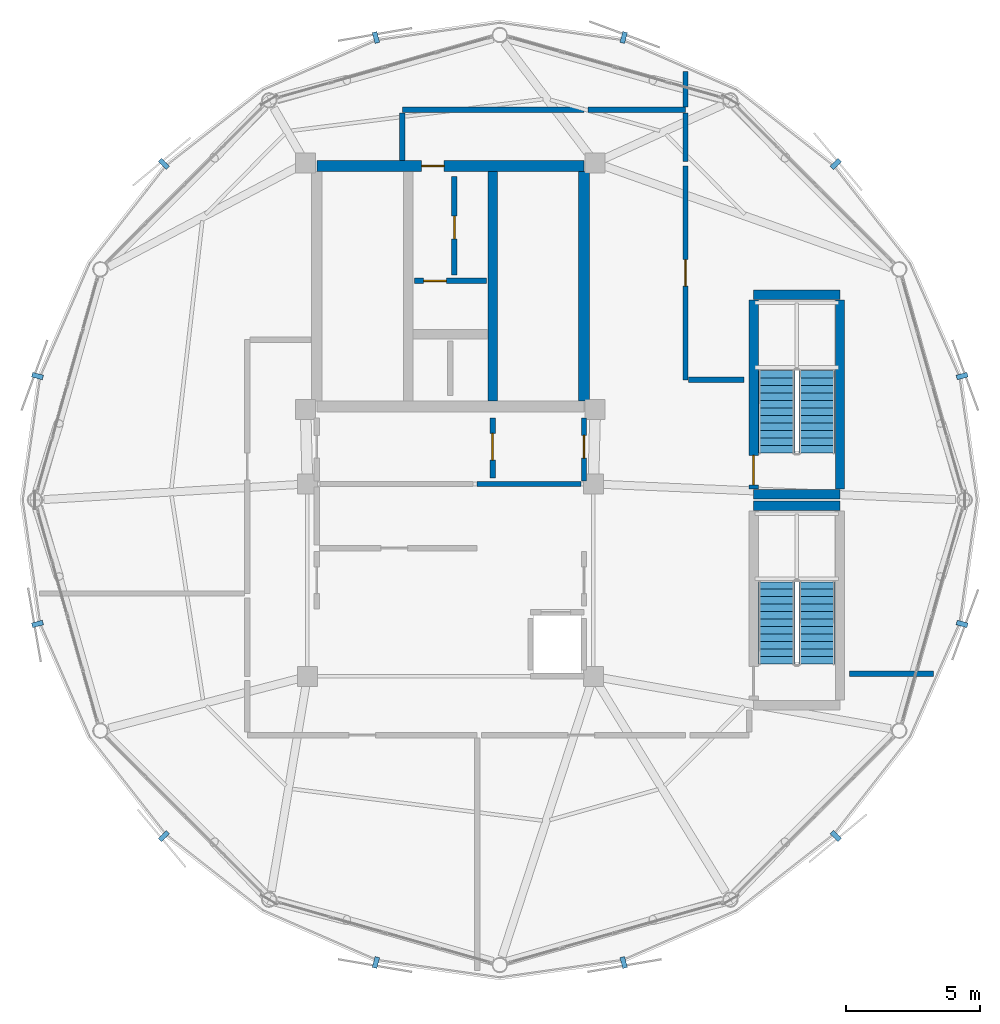
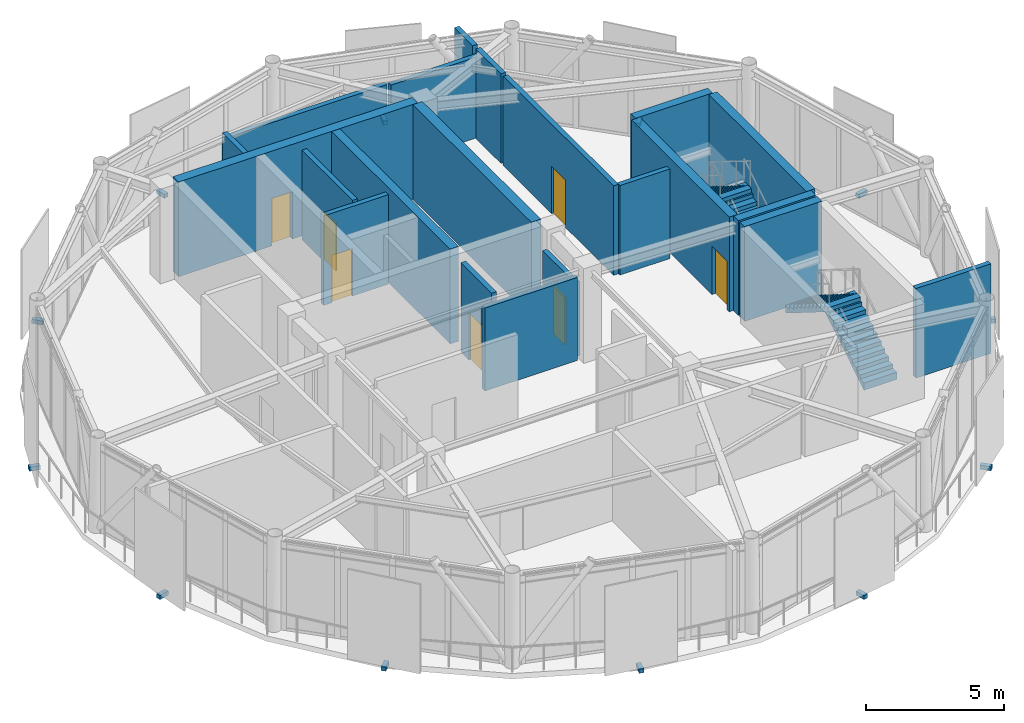
# One storey, part 17 of 20: 21 walls, 12 discrete accessories, 7 doors, 4 stair flights, 7 openings, 2 elements without a shape of their own.
"""IFC4 building model written with IfcOpenShell, lengths in metres."""

from ifc_helpers import new_model, si_unit, direction, frame, frame_2d, origin, origin_2d, place, context, subcontext, project, spatial, polyline, rectangle, outline, extrude, source, transform, mapped, material, layer, layer_set, type_object, type_shapes, element, fill, aggregate, save


model = new_model("IFC4")

# Units and contexts
model_context = context("Model", 3, precision=1e-05, world=origin(), true_north=direction((0.0, 1.0)))
body_context = subcontext(model_context, "Body", "Model", "MODEL_VIEW")
ifc_project = project(units=[si_unit("LENGTHUNIT", "METRE"), si_unit("AREAUNIT", "SQUARE_METRE"), si_unit("VOLUMEUNIT", "CUBIC_METRE"), si_unit("PLANEANGLEUNIT", "RADIAN"), si_unit("MASSUNIT", "GRAM", prefix="KILO")], contexts=[model_context])

# Site, building, storey
site_placement = place(None, origin())
site = spatial("IfcSite", under=ifc_project, at=site_placement, CompositionType="ELEMENT")
building_placement = place(site_placement, origin())
building = spatial("IfcBuilding", under=site, at=building_placement, Name="Varnakorn Sky Granary", CompositionType="ELEMENT")
storey_placement = place(building_placement, frame((0.0, 0.0, 306.60009765625)))
storey = spatial("IfcBuildingStorey", under=building, at=storey_placement, Name="L78", CompositionType="ELEMENT", Elevation=306.60009765625)

# Walls
ifc_material_1 = material(Name="Concrete C50/60", Category="concrete")
ifc_layer_1 = layer(ifc_material_1, 0.35009765625, Name="Concrete C50/60")
ifc_layer_set_1 = layer_set([ifc_layer_1], Name="Concrete C50/60")
wall_type_1 = type_object("IfcWallType", Name="WT-CW-INT-350", PredefinedType="SHEAR", material=ifc_layer_set_1)
for number, where, z_axis, x_axis, name in (
    (1, (14.35009765625, 0.219970703125, 0.0), (0.0, 0.0, 1.0), (1.0, 0.0, 0.0), "Crown Stair STC1 South Wall L78"),
    (2, (14.35009765625, 7.679931640625, 0.0), (0.0, 0.0, 1.0), (1.0, 0.0, 0.0), "Crown Stair STC1 North Wall L78"),
):
    element("IfcWall", number, at=place(storey_placement, frame(where, z_axis=z_axis, x_axis=x_axis)), inside=storey, type_object=wall_type_1, Name=name, PredefinedType="SHEAR", context=body_context, shape_type="SweptSolid", body=[
        extrude(rectangle(XDim=3.22998046875, YDim=0.35009765625, at=frame_2d((1.614990234375, 0.0))), origin(), (0.0, 0.0, 1.0), 4.19189453125),
    ])

# Wall, opening, door
wall_1_placement = place(storey_placement, frame((14.35009765625, 0.409912109375, 0.0), z_axis=(0.0, 0.0, 1.0), x_axis=(0.0, 1.0, 0.0)))
wall_1 = element("IfcWall", 3, at=wall_1_placement, inside=storey, type_object=wall_type_1, Name="Crown Stair STC1 West Wall L78", PredefinedType="SHEAR", context=body_context, shape_type="SweptSolid", body=[
    extrude(rectangle(XDim=7.080078125, YDim=0.35009765625, at=frame_2d((3.5400390625, 0.0))), origin(), (0.0, 0.0, 1.0), 4.19189453125),
])
opening_1_placement = place(wall_1_placement, frame((0.159912109375, 0.0, 0.0)))
opening_1 = element("IfcOpeningElement", 4, at=opening_1_placement, cuts=wall_1, Name="Opening FD-90", PredefinedType="OPENING", context=body_context, shape_type="SweptSolid", body=[
    extrude(rectangle(XDim=1.10009765625, YDim=2.14990234375, at=frame_2d((0.550048828125, 1.074951171875))), frame((0.0, 0.18505859375, 0.0), z_axis=(0.0, -1.0, 0.0), x_axis=(1.0, 0.0, 0.0)), (0.0, 0.0, 1.0), 0.3701171875),
])
ifc_material_2 = material(Name="Galvanised Painted Steel Leaf", Category="steel")
door_type_1 = type_object("IfcDoorType", Name="DR-STAIR-1100", OperationType="NOTDEFINED", PredefinedType="DOOR", material=ifc_material_2)
door_1_placement = place(opening_1_placement, origin())
door_1 = element("IfcDoor", 5, at=door_1_placement, inside=storey, type_object=door_type_1, Name="Crown Stair STC1 Protected Fire Door L78", OperationType="SINGLE_SWING_LEFT", OverallHeight=2.14990234375, OverallWidth=1.10009765625, PredefinedType="DOOR", context=body_context, shape_type="SweptSolid", body=[
    extrude(rectangle(XDim=1.10009765625, YDim=2.14990234375, at=frame_2d((0.550048828125, 1.074951171875))), frame((0.0, 0.02490234375, 0.0), z_axis=(0.0, -1.0, 0.0), x_axis=(1.0, 0.0, 0.0)), (0.0, 0.0, 1.0), 0.050048828125),
])
fill(opening_1, door_1)

# Walls
wall_2_placement = place(storey_placement, frame((17.580078125, 0.409912109375, 0.0), z_axis=(0.0, 0.0, 1.0), x_axis=(0.0, 1.0, 0.0)))
element("IfcWall", 6, at=wall_2_placement, inside=storey, type_object=wall_type_1, Name="Crown Stair STC1 East Wall L78", PredefinedType="SHEAR", context=body_context, shape_type="SweptSolid", body=[
    extrude(rectangle(XDim=7.080078125, YDim=0.35009765625, at=frame_2d((3.5400390625, 0.0))), origin(), (0.0, 0.0, 1.0), 4.19189453125),
])
wall_3_placement = place(storey_placement, frame((14.35009765625, -0.219970703125, 0.0), z_axis=(0.0, 0.0, 1.0), x_axis=(1.0, 0.0, 0.0)))
element("IfcWall", 7, at=wall_3_placement, inside=storey, type_object=wall_type_1, Name="Crown Stair STC2 North Wall L78", PredefinedType="SHEAR", context=body_context, shape_type="SweptSolid", body=[
    extrude(rectangle(XDim=3.22998046875, YDim=0.35009765625, at=frame_2d((1.614990234375, 0.0))), origin(), (0.0, 0.0, 1.0), 4.19189453125),
])
wall_4_placement = place(storey_placement, frame((4.580078125, 3.7099609375, 0.0), z_axis=(0.0, 0.0, 1.0), x_axis=(0.0, 1.0, 0.0)))
element("IfcWall", 8, at=wall_4_placement, inside=storey, type_object=wall_type_1, Name="Stair ST-2 Core Wall L78", PredefinedType="SHEAR", context=body_context, shape_type="SweptSolid", body=[
    extrude(rectangle(XDim=8.580078125, YDim=0.35009765625, at=frame_2d((4.2900390625, 0.0))), origin(), (0.0, 0.0, 1.0), 4.19189453125),
])

# Wall, opening, door
ifc_layer_2 = layer(ifc_material_1, 0.39990234375, Name="Concrete C50/60")
ifc_layer_set_2 = layer_set([ifc_layer_2], Name="Concrete C50/60")
wall_type_2 = type_object("IfcWallType", Name="WT-CW-SHEAR-400", PredefinedType="SHEAR", material=ifc_layer_set_2)
wall_5_placement = place(storey_placement, frame((-2.0, 12.5, 0.0), z_axis=(0.0, 0.0, 1.0), x_axis=(1.0, 0.0, 0.0)))
wall_5 = element("IfcWall", 9, at=wall_5_placement, inside=storey, type_object=wall_type_2, Name="Core North Shear Wall L78", PredefinedType="SHEAR", context=body_context, shape_type="SweptSolid", body=[
    extrude(rectangle(XDim=10.0, YDim=0.39990234375, at=frame_2d((5.0, 0.0))), origin(), (0.0, 0.0, 1.0), 4.19189453125),
])
opening_2_placement = place(wall_5_placement, frame((3.919921875, 0.0, 0.0)))
opening_2 = element("IfcOpeningElement", 10, at=opening_2_placement, cuts=wall_5, Name="Opening FD-60N", PredefinedType="OPENING", context=body_context, shape_type="SweptSolid", body=[
    extrude(rectangle(XDim=0.85009765625, YDim=2.10009765625, at=frame_2d((0.425048828125, 1.050048828125))), frame((0.0, 0.2099609375, 0.0), z_axis=(0.0, -1.0, 0.0), x_axis=(1.0, 0.0, 0.0)), (0.0, 0.0, 1.0), 0.419921875),
])
ifc_material_3 = material(Name="Acoustic Timber Fire Leaf", Category="wood")
door_type_2 = type_object("IfcDoorType", Name="DR-FD60-850", OperationType="NOTDEFINED", PredefinedType="DOOR", material=ifc_material_3)
door_2_placement = place(opening_2_placement, origin())
door_2 = element("IfcDoor", 11, at=door_2_placement, inside=storey, type_object=door_type_2, Name="Core North Service Door L78", OperationType="SINGLE_SWING_RIGHT", OverallHeight=2.10009765625, OverallWidth=0.85009765625, PredefinedType="DOOR", context=body_context, shape_type="SweptSolid", body=[
    extrude(rectangle(XDim=0.85009765625, YDim=2.10009765625, at=frame_2d((0.425048828125, 1.050048828125))), frame((0.0, 0.02490234375, 0.0), z_axis=(0.0, -1.0, 0.0), x_axis=(1.0, 0.0, 0.0)), (0.0, 0.0, 1.0), 0.050048828125),
])
fill(opening_2, door_2)

# Wall
wall_6_placement = place(storey_placement, frame((8.0, 3.7099609375, 0.0), z_axis=(0.0, 0.0, 1.0), x_axis=(0.0, 1.0, 0.0)))
element("IfcWall", 12, at=wall_6_placement, inside=storey, type_object=wall_type_2, Name="Core East Shear Wall L78", PredefinedType="SHEAR", context=body_context, shape_type="SweptSolid", body=[
    extrude(rectangle(XDim=8.580078125, YDim=0.39990234375, at=frame_2d((4.2900390625, 0.0))), origin(), (0.0, 0.0, 1.0), 4.19189453125),
])

# Wall, opening, door
ifc_material_4 = material(Name="Autoclaved Aerated Concrete Blockwork", Category="masonry")
ifc_layer_3 = layer(ifc_material_4, 0.199951171875, Name="Autoclaved Aerated Concrete Blockwork")
ifc_layer_set_3 = layer_set([ifc_layer_3], Name="Autoclaved Aerated Concrete Blockwork")
wall_type_3 = type_object("IfcWallType", Name="WT-FIRE-200", PredefinedType="MOVABLE", material=ifc_layer_set_3)
wall_7_placement = place(storey_placement, frame((1.64990234375, 8.199951171875, 0.0), z_axis=(0.0, 0.0, 1.0), x_axis=(1.0, 0.0, 0.0)))
wall_7 = element("IfcWall", 13, at=wall_7_placement, inside=storey, type_object=wall_type_3, Name="Interior Partition Wall L78-007", PredefinedType="MOVABLE", context=body_context, shape_type="SweptSolid", body=[
    extrude(rectangle(XDim=2.7001953125, YDim=0.199951171875, at=frame_2d((1.35009765625, 0.0))), origin(), (0.0, 0.0, 1.0), 3.9599609375),
])
opening_3_placement = place(wall_7_placement, frame((0.35009765625, 0.0, 0.0)))
opening_3 = element("IfcOpeningElement", 14, at=opening_3_placement, cuts=wall_7, Name="Opening FD-60N", PredefinedType="OPENING", context=body_context, shape_type="SweptSolid", body=[
    extrude(rectangle(XDim=0.85009765625, YDim=2.10009765625, at=frame_2d((0.425048828125, 1.050048828125))), frame((0.0, 0.10986328125, 0.0), z_axis=(0.0, -1.0, 0.0), x_axis=(1.0, 0.0, 0.0)), (0.0, 0.0, 1.0), 0.219970703125),
])
door_3_placement = place(opening_3_placement, origin())
door_3 = element("IfcDoor", 15, at=door_3_placement, inside=storey, type_object=door_type_2, Name="Interior Door L78-007-1", OperationType="SINGLE_SWING_RIGHT", OverallHeight=2.10009765625, OverallWidth=0.85009765625, PredefinedType="DOOR", context=body_context, shape_type="SweptSolid", body=[
    extrude(rectangle(XDim=0.85009765625, YDim=2.10009765625, at=frame_2d((0.425048828125, 1.050048828125))), frame((0.0, 0.02490234375, 0.0), z_axis=(0.0, -1.0, 0.0), x_axis=(1.0, 0.0, 0.0)), (0.0, 0.0, 1.0), 0.050048828125),
])
fill(opening_3, door_3)

wall_8_placement = place(storey_placement, frame((3.14990234375, 8.429931640625, 0.0), z_axis=(0.0, 0.0, 1.0), x_axis=(0.0, 1.0, 0.0)))
wall_8 = element("IfcWall", 16, at=wall_8_placement, inside=storey, type_object=wall_type_3, Name="Interior Partition Wall L78-008", PredefinedType="MOVABLE", context=body_context, shape_type="SweptSolid", body=[
    extrude(rectangle(XDim=3.670166015625, YDim=0.199951171875, at=frame_2d((1.8349609375, 0.0))), origin(), (0.0, 0.0, 1.0), 3.9599609375),
])
opening_4_placement = place(wall_8_placement, frame((1.340087890625, 0.0, 0.0)))
opening_4 = element("IfcOpeningElement", 17, at=opening_4_placement, cuts=wall_8, Name="Opening FD-60N", PredefinedType="OPENING", context=body_context, shape_type="SweptSolid", body=[
    extrude(rectangle(XDim=0.85009765625, YDim=2.10009765625, at=frame_2d((0.425048828125, 1.050048828125))), frame((0.0, 0.10986328125, 0.0), z_axis=(0.0, -1.0, 0.0), x_axis=(1.0, 0.0, 0.0)), (0.0, 0.0, 1.0), 0.219970703125),
])
door_4_placement = place(opening_4_placement, origin())
door_4 = element("IfcDoor", 18, at=door_4_placement, inside=storey, type_object=door_type_2, Name="Interior Door L78-008-1", OperationType="SINGLE_SWING_LEFT", OverallHeight=2.10009765625, OverallWidth=0.85009765625, PredefinedType="DOOR", context=body_context, shape_type="SweptSolid", body=[
    extrude(rectangle(XDim=0.85009765625, YDim=2.10009765625, at=frame_2d((0.425048828125, 1.050048828125))), frame((0.0, 0.02490234375, 0.0), z_axis=(0.0, -1.0, 0.0), x_axis=(1.0, 0.0, 0.0)), (0.0, 0.0, 1.0), 0.050048828125),
])
fill(opening_4, door_4)

wall_9_placement = place(storey_placement, frame((4.580078125, 0.830078125, 0.0), z_axis=(0.0, 0.0, 1.0), x_axis=(0.0, 1.0, 0.0)))
wall_9 = element("IfcWall", 19, at=wall_9_placement, inside=storey, type_object=wall_type_3, Name="Interior Partition Wall L78-009", PredefinedType="MOVABLE", context=body_context, shape_type="SweptSolid", body=[
    extrude(rectangle(XDim=2.239990234375, YDim=0.199951171875, at=frame_2d((1.1201171875, 0.0))), origin(), (0.0, 0.0, 1.0), 3.9599609375),
])
opening_5_placement = place(wall_9_placement, frame((0.659912109375, 0.0, 0.0)))
opening_5 = element("IfcOpeningElement", 20, at=opening_5_placement, cuts=wall_9, Name="Opening FD-60", PredefinedType="OPENING", context=body_context, shape_type="SweptSolid", body=[
    extrude(rectangle(XDim=1.0, YDim=2.10009765625, at=frame_2d((0.5, 1.050048828125))), frame((0.0, 0.10986328125, 0.0), z_axis=(0.0, -1.0, 0.0), x_axis=(1.0, 0.0, 0.0)), (0.0, 0.0, 1.0), 0.219970703125),
])
door_type_3 = type_object("IfcDoorType", Name="DR-FD60-1000", OperationType="NOTDEFINED", PredefinedType="DOOR", material=ifc_material_3)
door_5_placement = place(opening_5_placement, origin())
door_5 = element("IfcDoor", 21, at=door_5_placement, inside=storey, type_object=door_type_3, Name="Interior Door L78-009-1", OperationType="SINGLE_SWING_RIGHT", OverallHeight=2.10009765625, OverallWidth=1.0, PredefinedType="DOOR", context=body_context, shape_type="SweptSolid", body=[
    extrude(rectangle(XDim=1.0, YDim=2.10009765625, at=frame_2d((0.5, 1.050048828125))), frame((0.0, 0.02490234375, 0.0), z_axis=(0.0, -1.0, 0.0), x_axis=(1.0, 0.0, 0.0)), (0.0, 0.0, 1.0), 0.050048828125),
])
fill(opening_5, door_5)

wall_10_placement = place(storey_placement, frame((8.0, 0.719970703125, 0.0), z_axis=(0.0, 0.0, 1.0), x_axis=(0.0, 1.0, 0.0)))
wall_10 = element("IfcWall", 22, at=wall_10_placement, inside=storey, type_object=wall_type_3, Name="Interior Partition Wall L78-011", PredefinedType="MOVABLE", context=body_context, shape_type="SweptSolid", body=[
    extrude(rectangle(XDim=2.35009765625, YDim=0.199951171875, at=frame_2d((1.175048828125, 0.0))), origin(), (0.0, 0.0, 1.0), 3.2919921875),
])
opening_6_placement = place(wall_10_placement, frame((0.844970703125, 0.0, 0.0)))
opening_6 = element("IfcOpeningElement", 23, at=opening_6_placement, cuts=wall_10, Name="Opening FD-60N", PredefinedType="OPENING", context=body_context, shape_type="SweptSolid", body=[
    extrude(rectangle(XDim=0.85009765625, YDim=2.10009765625, at=frame_2d((0.425048828125, 1.050048828125))), frame((0.0, 0.10986328125, 0.0), z_axis=(0.0, -1.0, 0.0), x_axis=(1.0, 0.0, 0.0)), (0.0, 0.0, 1.0), 0.219970703125),
])
door_6_placement = place(opening_6_placement, origin())
door_6 = element("IfcDoor", 24, at=door_6_placement, inside=storey, type_object=door_type_2, Name="Interior Door L78-011-1", OperationType="SINGLE_SWING_RIGHT", OverallHeight=2.10009765625, OverallWidth=0.85009765625, PredefinedType="DOOR", context=body_context, shape_type="SweptSolid", body=[
    extrude(rectangle(XDim=0.85009765625, YDim=2.10009765625, at=frame_2d((0.425048828125, 1.050048828125))), frame((0.0, 0.02490234375, 0.0), z_axis=(0.0, -1.0, 0.0), x_axis=(1.0, 0.0, 0.0)), (0.0, 0.0, 1.0), 0.050048828125),
])
fill(opening_6, door_6)

wall_11_placement = place(storey_placement, frame((11.800048828125, 4.5, 0.0), z_axis=(0.0, 0.0, 1.0), x_axis=(0.0, 1.0, 0.0)))
wall_11 = element("IfcWall", 25, at=wall_11_placement, inside=storey, type_object=wall_type_3, Name="Interior Partition Wall L78-018", PredefinedType="MOVABLE", context=body_context, shape_type="SweptSolid", body=[
    extrude(rectangle(XDim=8.0, YDim=0.199951171875, at=frame_2d((4.0, 0.0))), origin(), (0.0, 0.0, 1.0), 3.9599609375),
])
opening_7_placement = place(wall_11_placement, frame((3.5, 0.0, 0.0)))
opening_7 = element("IfcOpeningElement", 26, at=opening_7_placement, cuts=wall_11, Name="Opening FD-60", PredefinedType="OPENING", context=body_context, shape_type="SweptSolid", body=[
    extrude(rectangle(XDim=1.0, YDim=2.10009765625, at=frame_2d((0.5, 1.050048828125))), frame((0.0, 0.10986328125, 0.0), z_axis=(0.0, -1.0, 0.0), x_axis=(1.0, 0.0, 0.0)), (0.0, 0.0, 1.0), 0.219970703125),
])
door_7_placement = place(opening_7_placement, origin())
door_7 = element("IfcDoor", 27, at=door_7_placement, inside=storey, type_object=door_type_3, Name="Interior Door L78-018-1", OperationType="SINGLE_SWING_LEFT", OverallHeight=2.10009765625, OverallWidth=1.0, PredefinedType="DOOR", context=body_context, shape_type="SweptSolid", body=[
    extrude(rectangle(XDim=1.0, YDim=2.10009765625, at=frame_2d((0.5, 1.050048828125))), frame((0.0, 0.02490234375, 0.0), z_axis=(0.0, -1.0, 0.0), x_axis=(1.0, 0.0, 0.0)), (0.0, 0.0, 1.0), 0.050048828125),
])
fill(opening_7, door_7)

# Walls
wall_12_placement = place(storey_placement, frame((8.0, 14.60009765625, 0.0), z_axis=(0.0, 0.0, 1.0), x_axis=(-1.0, 0.0, 0.0)))
element("IfcWall", 28, at=wall_12_placement, inside=storey, type_object=wall_type_3, Name="Interior Partition Wall L78-021", PredefinedType="MOVABLE", context=body_context, shape_type="SweptSolid", body=[
    extrude(rectangle(XDim=6.800048828125, YDim=0.199951171875, at=frame_2d((3.39990234375, 0.0))), origin(), (0.0, 0.0, 1.0), 3.671875),
])
wall_13_placement = place(storey_placement, frame((11.800048828125, 14.60009765625, 0.0), z_axis=(0.0, 0.0, 1.0), x_axis=(-1.0, 0.0, 0.0)))
element("IfcWall", 29, at=wall_13_placement, inside=storey, type_object=wall_type_3, Name="Interior Partition Wall L78-022", PredefinedType="MOVABLE", context=body_context, shape_type="SweptSolid", body=[
    extrude(rectangle(XDim=3.64013671875, YDim=0.199951171875, at=frame_2d((1.820068359375, 0.0))), origin(), (0.0, 0.0, 1.0), 3.581787109375),
])
wall_14_placement = place(storey_placement, frame((1.199951171875, 14.489990234375, 0.0), z_axis=(0.0, 0.0, 1.0), x_axis=(0.0, -1.0, 0.0)))
element("IfcWall", 30, at=wall_14_placement, inside=storey, type_object=wall_type_3, Name="Interior Partition Wall L78-024", PredefinedType="MOVABLE", context=body_context, shape_type="SweptSolid", body=[
    extrude(rectangle(XDim=1.780029296875, YDim=0.199951171875, at=frame_2d((0.89013671875, 0.0))), origin(), (0.0, 0.0, 1.0), 3.9599609375),
])
wall_15_placement = place(storey_placement, frame((13.9951171875, 4.5, 0.0), z_axis=(0.0, 0.0, 1.0), x_axis=(-1.0, 0.0, 0.0)))
element("IfcWall", 31, at=wall_15_placement, inside=storey, type_object=wall_type_3, Name="Interior Partition Wall L78-029", PredefinedType="MOVABLE", context=body_context, shape_type="SweptSolid", body=[
    extrude(rectangle(XDim=2.085205078125, YDim=0.199951171875, at=frame_2d((1.04248046875, 0.0))), origin(), (0.0, 0.0, 1.0), 3.9599609375),
])
wall_16_placement = place(storey_placement, frame((11.800048828125, 12.659912109375, 0.0), z_axis=(0.0, 0.0, 1.0), x_axis=(0.0, 1.0, 0.0)))
element("IfcWall", 32, at=wall_16_placement, inside=storey, type_object=wall_type_3, Name="Interior Partition Wall L78-030", PredefinedType="MOVABLE", context=body_context, shape_type="SweptSolid", body=[
    extrude(rectangle(XDim=1.830078125, YDim=0.199951171875, at=frame_2d((0.9150390625, 0.0))), origin(), (0.0, 0.0, 1.0), 3.9599609375),
])
wall_17_placement = place(storey_placement, frame((11.800048828125, 16.0380859375, 0.0), z_axis=(0.0, 0.0, 1.0), x_axis=(0.0, -1.0, 0.0)))
element("IfcWall", 33, at=wall_17_placement, inside=storey, type_object=wall_type_3, Name="Interior Partition Wall L78-032", PredefinedType="MOVABLE", context=body_context, shape_type="SweptSolid", body=[
    extrude(rectangle(XDim=1.328125, YDim=0.199951171875, at=frame_2d((0.6640625, 0.0))), origin(), (0.0, 0.0, 1.0), 3.9599609375),
])
wall_18_placement = place(storey_placement, frame((17.93505859375, -6.5, 0.0), z_axis=(0.0, 0.0, 1.0), x_axis=(1.0, 0.0, 0.0)))
element("IfcWall", 34, at=wall_18_placement, inside=storey, type_object=wall_type_3, Name="Interior Partition Wall L78-034", PredefinedType="MOVABLE", context=body_context, shape_type="SweptSolid", body=[
    extrude(rectangle(XDim=3.14404296875, YDim=0.199951171875, at=frame_2d((1.572021484375, 0.0))), origin(), (0.0, 0.0, 1.0), 3.9599609375),
])
ifc_layer_4 = layer(ifc_material_4, 0.199951171875, Name="Autoclaved Aerated Concrete Blockwork")
ifc_layer_set_4 = layer_set([ifc_layer_4], Name="Autoclaved Aerated Concrete Blockwork")
wall_type_4 = type_object("IfcWallType", Name="WT-SHAFT-200", PredefinedType="SOLIDWALL", material=ifc_layer_set_4)
wall_19_placement = place(storey_placement, frame((4.0, 0.60009765625, 0.0), z_axis=(0.0, 0.0, 1.0), x_axis=(1.0, 0.0, 0.0)))
element("IfcWall", 35, at=wall_19_placement, inside=storey, type_object=wall_type_4, Name="Interior Partition Wall L78-002", PredefinedType="SOLIDWALL", context=body_context, shape_type="SweptSolid", body=[
    extrude(rectangle(XDim=3.8798828125, YDim=0.199951171875, at=frame_2d((1.93994140625, 0.0))), origin(), (0.0, 0.0, 1.0), 3.671875),
])

# Stair, stair flights
ifc_material_5 = material(Name="Concrete C40/50", Category="concrete")
stair_type = type_object("IfcStairType", Name="ST-CRWN-ASSEMBLY", PredefinedType="HALF_TURN_STAIR", material=ifc_material_5)
stair_1_placement = place(storey_placement, origin())
stair_1 = element("IfcStair", 36, at=stair_1_placement, inside=storey, type_object=stair_type, Name="L78 Crown North Exit Stair ST-C1", PredefinedType="HALF_TURN_STAIR")
stair_flight_type = type_object("IfcStairFlightType", Name="ST-CRWN-FLIGHT", PredefinedType="STRAIGHT", material=ifc_material_5)
stair_flight_1_placement = place(storey_placement, frame((16.719970703125, 1.760009765625, 0.0), z_axis=(0.0, 0.0, 1.0), x_axis=(0.0, 1.0, 0.0)))
stair_flight_1 = element("IfcStairFlight", 37, at=stair_flight_1_placement, type_object=stair_flight_type, Name="ST-C1 flight 1", NumberOfRisers=12, NumberOfTreads=11, PredefinedType="STRAIGHT", RiserHeight=0.175, TreadLength=0.28, context=body_context, shape_type="SweptSolid", body=[
    extrude(outline(polyline([(0.0, -0.14990234375), (0.0, 0.0), (0.0, 0.175048828125), (0.280029296875, 0.175048828125), (0.280029296875, 0.35009765625), (0.56005859375, 0.35009765625), (0.56005859375, 0.52490234375), (0.840087890625, 0.52490234375), (0.840087890625, 0.699951171875), (1.1201171875, 0.699951171875), (1.1201171875, 0.875), (1.39990234375, 0.875), (1.39990234375, 1.050048828125), (1.679931640625, 1.050048828125), (1.679931640625, 1.22509765625), (1.9599609375, 1.22509765625), (1.9599609375, 1.39990234375), (2.239990234375, 1.39990234375), (2.239990234375, 1.574951171875), (2.52001953125, 1.574951171875), (2.52001953125, 1.75), (2.800048828125, 1.75), (2.800048828125, 1.925048828125), (3.080078125, 1.925048828125), (3.080078125, 2.10009765625), (3.080078125, 1.748291015625), (0.050048828125, -0.14990234375), (0.0, -0.14990234375)])), frame((0.0, 0.68017578125, 0.0), z_axis=(0.0, -1.0, 0.0), x_axis=(1.0, 0.0, 0.0)), (0.0, 0.0, 1.0), 1.360107421875),
])
stair_flight_2_placement = place(storey_placement, frame((15.2099609375, 4.840087890625, 2.099853515625), z_axis=(0.0, 0.0, 1.0), x_axis=(0.0, -1.0, 0.0)))
stair_flight_2 = element("IfcStairFlight", 38, at=stair_flight_2_placement, type_object=stair_flight_type, Name="ST-C1 flight 2", NumberOfRisers=12, NumberOfTreads=11, PredefinedType="STRAIGHT", RiserHeight=0.175, TreadLength=0.28, context=body_context, shape_type="SweptSolid", body=[
    extrude(outline(polyline([(0.0, -0.14990234375), (0.0, 0.0), (0.0, 0.175048828125), (0.280029296875, 0.175048828125), (0.280029296875, 0.35009765625), (0.56005859375, 0.35009765625), (0.56005859375, 0.52490234375), (0.840087890625, 0.52490234375), (0.840087890625, 0.699951171875), (1.1201171875, 0.699951171875), (1.1201171875, 0.875), (1.39990234375, 0.875), (1.39990234375, 1.050048828125), (1.679931640625, 1.050048828125), (1.679931640625, 1.22509765625), (1.9599609375, 1.22509765625), (1.9599609375, 1.39990234375), (2.239990234375, 1.39990234375), (2.239990234375, 1.574951171875), (2.52001953125, 1.574951171875), (2.52001953125, 1.75), (2.800048828125, 1.75), (2.800048828125, 1.925048828125), (3.080078125, 1.925048828125), (3.080078125, 2.10009765625), (3.080078125, 1.748291015625), (0.050048828125, -0.14990234375), (0.0, -0.14990234375)])), frame((0.0, 0.68017578125, 0.0), z_axis=(0.0, -1.0, 0.0), x_axis=(1.0, 0.0, 0.0)), (0.0, 0.0, 1.0), 1.360107421875),
])
aggregate(stair_1, [stair_flight_1, stair_flight_2])

stair_2_placement = place(storey_placement, origin())
stair_2 = element("IfcStair", 39, at=stair_2_placement, inside=storey, type_object=stair_type, Name="L78 Crown South Exit Stair ST-C2", PredefinedType="HALF_TURN_STAIR")
stair_flight_3_placement = place(storey_placement, frame((16.719970703125, -6.139892578125, 0.0), z_axis=(0.0, 0.0, 1.0), x_axis=(0.0, 1.0, 0.0)))
stair_flight_3 = element("IfcStairFlight", 40, at=stair_flight_3_placement, type_object=stair_flight_type, Name="ST-C2 flight 1", NumberOfRisers=12, NumberOfTreads=11, PredefinedType="STRAIGHT", RiserHeight=0.175, TreadLength=0.28, context=body_context, shape_type="SweptSolid", body=[
    extrude(outline(polyline([(0.0, -0.14990234375), (0.0, 0.0), (0.0, 0.175048828125), (0.280029296875, 0.175048828125), (0.280029296875, 0.35009765625), (0.56005859375, 0.35009765625), (0.56005859375, 0.52490234375), (0.840087890625, 0.52490234375), (0.840087890625, 0.699951171875), (1.1201171875, 0.699951171875), (1.1201171875, 0.875), (1.39990234375, 0.875), (1.39990234375, 1.050048828125), (1.679931640625, 1.050048828125), (1.679931640625, 1.22509765625), (1.9599609375, 1.22509765625), (1.9599609375, 1.39990234375), (2.239990234375, 1.39990234375), (2.239990234375, 1.574951171875), (2.52001953125, 1.574951171875), (2.52001953125, 1.75), (2.800048828125, 1.75), (2.800048828125, 1.925048828125), (3.080078125, 1.925048828125), (3.080078125, 2.10009765625), (3.080078125, 1.748291015625), (0.050048828125, -0.14990234375), (0.0, -0.14990234375)])), frame((0.0, 0.68017578125, 0.0), z_axis=(0.0, -1.0, 0.0), x_axis=(1.0, 0.0, 0.0)), (0.0, 0.0, 1.0), 1.360107421875),
])
stair_flight_4_placement = place(storey_placement, frame((15.2099609375, -3.06005859375, 2.099853515625), z_axis=(0.0, 0.0, 1.0), x_axis=(0.0, -1.0, 0.0)))
stair_flight_4 = element("IfcStairFlight", 41, at=stair_flight_4_placement, type_object=stair_flight_type, Name="ST-C2 flight 2", NumberOfRisers=12, NumberOfTreads=11, PredefinedType="STRAIGHT", RiserHeight=0.175, TreadLength=0.28, context=body_context, shape_type="SweptSolid", body=[
    extrude(outline(polyline([(0.0, -0.14990234375), (0.0, 0.0), (0.0, 0.175048828125), (0.280029296875, 0.175048828125), (0.280029296875, 0.35009765625), (0.56005859375, 0.35009765625), (0.56005859375, 0.52490234375), (0.840087890625, 0.52490234375), (0.840087890625, 0.699951171875), (1.1201171875, 0.699951171875), (1.1201171875, 0.875), (1.39990234375, 0.875), (1.39990234375, 1.050048828125), (1.679931640625, 1.050048828125), (1.679931640625, 1.22509765625), (1.9599609375, 1.22509765625), (1.9599609375, 1.39990234375), (2.239990234375, 1.39990234375), (2.239990234375, 1.574951171875), (2.52001953125, 1.574951171875), (2.52001953125, 1.75), (2.800048828125, 1.75), (2.800048828125, 1.925048828125), (3.080078125, 1.925048828125), (3.080078125, 2.10009765625), (3.080078125, 1.748291015625), (0.050048828125, -0.14990234375), (0.0, -0.14990234375)])), frame((0.0, 0.68017578125, 0.0), z_axis=(0.0, -1.0, 0.0), x_axis=(1.0, 0.0, 0.0)), (0.0, 0.0, 1.0), 1.360107421875),
])
aggregate(stair_2, [stair_flight_3, stair_flight_4])

# Discrete accessories
ifc_material_6 = material(Name="Steel S355JR", Category="steel")
discrete_accessory_type = type_object("IfcDiscreteAccessoryType", Name="AC-BRK-01", PredefinedType="BRACKET", material=ifc_material_6)
shared_shape = source(origin(), body_context, "Body", "SweptSolid", [
    extrude(rectangle(XDim=0.179931640625, YDim=0.419921875, at=origin_2d()), origin(), (0.0, 0.0, 1.0), 0.179931640625),
])
type_shapes(discrete_accessory_type, [shared_shape])
for number, where, z_axis, x_axis, name in (
    (42, (22.151611328125, 4.6376953125, -0.2001953125), (0.0, 0.0, 1.0), (-0.258912319873, 0.965900828563, 0.0), "Facade Solar-Screen Outrigger Bracket L78-01"),
    (43, (17.420166015625, 12.5751953125, -0.2001953125), (0.0, 0.0, 1.0), (-0.70724549535, 0.706968039806, 0.0), "Facade Solar-Screen Outrigger Bracket L78-02"),
    (44, (9.48583984375, 17.308349609375, -0.2001953125), (0.0, 0.0, 1.0), (-0.965951336235, 0.258723821915, 0.0), "Facade Solar-Screen Outrigger Bracket L78-03"),
    (45, (0.214111328125, 17.308349609375, -0.2001953125), (0.0, 0.0, 1.0), (-0.965951336235, -0.258723821915, 0.0), "Facade Solar-Screen Outrigger Bracket L78-04"),
    (46, (-7.72021484375, 12.5751953125, -0.2001953125), (0.0, 0.0, 1.0), (-0.70724549535, -0.706968039806, 0.0), "Facade Solar-Screen Outrigger Bracket L78-05"),
    (47, (-12.45166015625, 4.6376953125, -0.2001953125), (0.0, 0.0, 1.0), (-0.258912319873, -0.965900828563, 0.0), "Facade Solar-Screen Outrigger Bracket L78-06"),
    (48, (-12.45166015625, -4.6376953125, -0.2001953125), (0.0, 0.0, 1.0), (0.258912319873, -0.965900828563, 0.0), "Facade Solar-Screen Outrigger Bracket L78-07"),
    (49, (-7.72021484375, -12.5751953125, -0.2001953125), (0.0, 0.0, 1.0), (0.70724549535, -0.706968039806, 0.0), "Facade Solar-Screen Outrigger Bracket L78-08"),
    (50, (0.214111328125, -17.308349609375, -0.2001953125), (0.0, 0.0, 1.0), (0.965951336235, -0.258723821915, 0.0), "Facade Solar-Screen Outrigger Bracket L78-09"),
    (51, (9.48583984375, -17.308349609375, -0.2001953125), (0.0, 0.0, 1.0), (0.965951336235, 0.258723821915, 0.0), "Facade Solar-Screen Outrigger Bracket L78-10"),
    (52, (17.420166015625, -12.5751953125, -0.2001953125), (0.0, 0.0, 1.0), (0.70724549535, 0.706968039806, 0.0), "Facade Solar-Screen Outrigger Bracket L78-11"),
    (53, (22.151611328125, -4.6376953125, -0.2001953125), (0.0, 0.0, 1.0), (0.258912319873, 0.965900828563, 0.0), "Facade Solar-Screen Outrigger Bracket L78-12"),
):
    element("IfcDiscreteAccessory", number, at=place(storey_placement, frame(where, z_axis=z_axis, x_axis=x_axis)), inside=storey, type_object=discrete_accessory_type, Name=name, PredefinedType="BRACKET", context=body_context, shape_type="MappedRepresentation", body=[
        mapped(shared_shape, transform((0.0, 0.0, 0.0), x_axis=(1.0, 0.0, 0.0), y_axis=(0.0, 1.0, 0.0), z_axis=(0.0, 0.0, 1.0), scale=1.0)),
    ])

save(model, "model.ifc")
